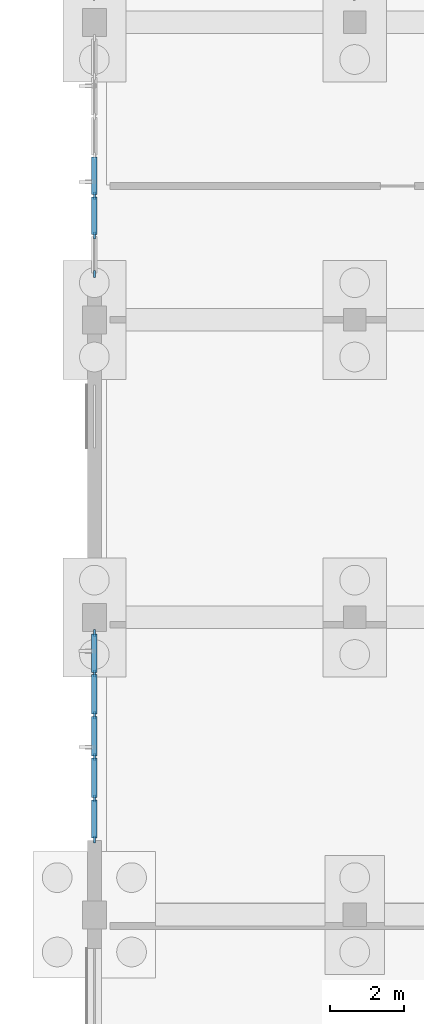
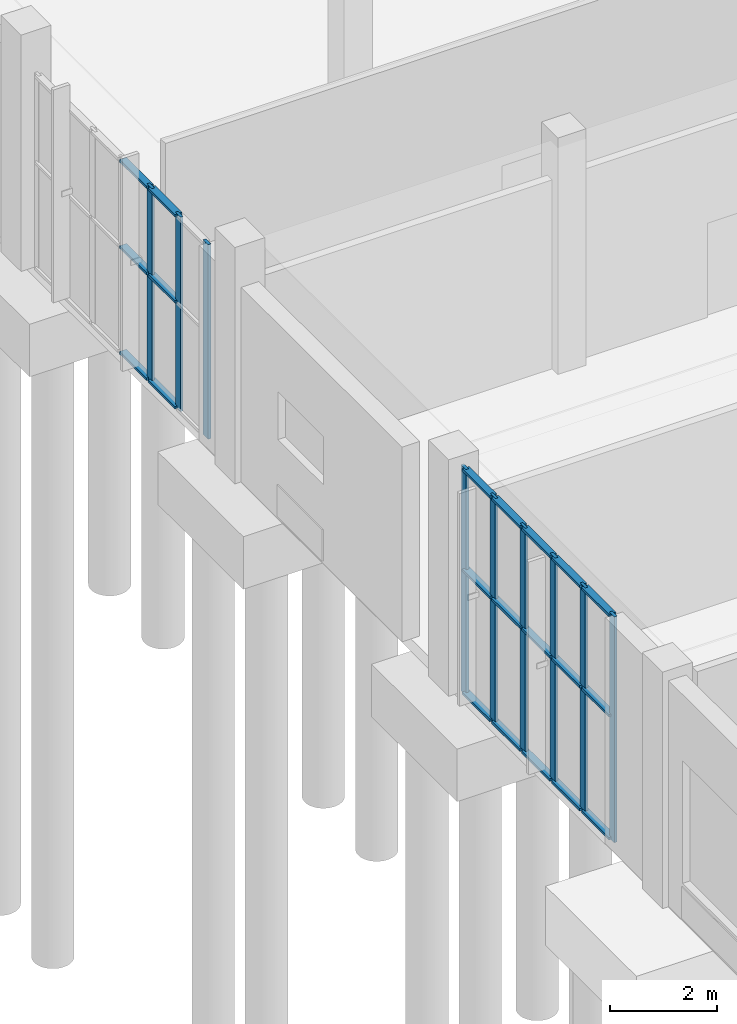
# One storey, part 14 of 69: 30 members, 2 elements without a shape of their own.
"""IFC4 building model written with IfcOpenShell, lengths in metres."""

from ifc_helpers import new_model, si_unit, direction, frame, origin, origin_2d, place, context, subcontext, project, spatial, rectangle, extrude, material, layer, layer_set, material_profile, profile_set, type_object, element, aggregate, save


model = new_model("IFC4")

# Units and contexts
model_context = context("Model", 3, precision=1e-05, world=origin(), true_north=direction((0.0, 1.0)))
body_context = subcontext(model_context, "Body", "Model", "MODEL_VIEW")
ifc_project = project(units=[si_unit("LENGTHUNIT", "METRE"), si_unit("AREAUNIT", "SQUARE_METRE"), si_unit("VOLUMEUNIT", "CUBIC_METRE"), si_unit("PLANEANGLEUNIT", "RADIAN"), si_unit("MASSUNIT", "GRAM", prefix="KILO")], contexts=[model_context])

# Site, building, storey
site_placement = place(None, origin())
site = spatial("IfcSite", under=ifc_project, at=site_placement, CompositionType="ELEMENT")
building_placement = place(site_placement, origin())
building = spatial("IfcBuilding", under=site, at=building_placement, Name="Solvane Community Centre", CompositionType="ELEMENT")
storey_placement = place(building_placement, origin())
storey = spatial("IfcBuildingStorey", under=building, at=storey_placement, Name="L00", CompositionType="ELEMENT", Elevation=0.0)

# Curtain wall, members
ifc_material = material(Name="Anodised bronze aluminium AW-6063 T6", Category="aluminium")
ifc_layer_1 = layer(ifc_material, 0.18994140625)
ifc_layer_set_1 = layer_set([ifc_layer_1], Name="Anodised bronze aluminium AW-6063 T6")
curtain_wall_type_1 = type_object("IfcCurtainWallType", Name="Boulevard Bronze Vision Curtain Wall [56x52dm]", PredefinedType="NOTDEFINED", material=ifc_layer_set_1)
curtain_wall_1_placement = place(storey_placement, origin())
curtain_wall_1 = element("IfcCurtainWall", 1, at=curtain_wall_1_placement, inside=storey, type_object=curtain_wall_type_1, Name="Curtain Wall CW-L00-60_800-005", PredefinedType="NOTDEFINED")
ifc_material_profile_1 = material_profile(ifc_material, rectangle(XDim=0.06005859375, YDim=0.18994140625, at=origin_2d()), Name="CW-M 60x190")
ifc_profile_set_1 = profile_set([ifc_material_profile_1], Name="Anodised bronze aluminium AW-6063 T6")
member_type_1 = type_object("IfcMemberType", Name="Boulevard Mullion 60x190", PredefinedType="MULLION", material=ifc_profile_set_1)
member_1_placement = place(storey_placement, frame((6.0, 80.030029296875, 0.0), z_axis=(0.0, 0.0, 1.0), x_axis=(-1.0, 0.0, 0.0)))
member_1 = element("IfcMember", 2, at=member_1_placement, type_object=member_type_1, Name="CW02-56x52 mullion 1", PredefinedType="MULLION", context=body_context, shape_type="SweptSolid", body=[
    extrude(rectangle(XDim=0.06005859375, YDim=0.18994140625, at=origin_2d()), origin(), (0.0, 0.0, 1.0), 5.159912109375),
])
member_2_placement = place(storey_placement, frame((6.0, 81.1220703125, 0.0), z_axis=(0.0, 0.0, 1.0), x_axis=(-1.0, 0.0, 0.0)))
member_2 = element("IfcMember", 3, at=member_2_placement, type_object=member_type_1, Name="CW02-56x52 mullion 2", PredefinedType="MULLION", context=body_context, shape_type="SweptSolid", body=[
    extrude(rectangle(XDim=0.06005859375, YDim=0.18994140625, at=origin_2d()), origin(), (0.0, 0.0, 1.0), 5.159912109375),
])
member_3_placement = place(storey_placement, frame((6.0, 82.243896484375, 0.0), z_axis=(0.0, 0.0, 1.0), x_axis=(-1.0, 0.0, 0.0)))
member_3 = element("IfcMember", 4, at=member_3_placement, type_object=member_type_1, Name="CW02-56x52 mullion 3", PredefinedType="MULLION", context=body_context, shape_type="SweptSolid", body=[
    extrude(rectangle(XDim=0.06005859375, YDim=0.18994140625, at=origin_2d()), origin(), (0.0, 0.0, 1.0), 5.159912109375),
])
member_4_placement = place(storey_placement, frame((6.0, 83.365966796875, 0.0), z_axis=(0.0, 0.0, 1.0), x_axis=(-1.0, 0.0, 0.0)))
member_4 = element("IfcMember", 5, at=member_4_placement, type_object=member_type_1, Name="CW02-56x52 mullion 4", PredefinedType="MULLION", context=body_context, shape_type="SweptSolid", body=[
    extrude(rectangle(XDim=0.06005859375, YDim=0.18994140625, at=origin_2d()), origin(), (0.0, 0.0, 1.0), 5.159912109375),
])
member_5_placement = place(storey_placement, frame((6.0, 84.488037109375, 0.0), z_axis=(0.0, 0.0, 1.0), x_axis=(-1.0, 0.0, 0.0)))
member_5 = element("IfcMember", 6, at=member_5_placement, type_object=member_type_1, Name="CW02-56x52 mullion 5", PredefinedType="MULLION", context=body_context, shape_type="SweptSolid", body=[
    extrude(rectangle(XDim=0.06005859375, YDim=0.18994140625, at=origin_2d()), origin(), (0.0, 0.0, 1.0), 5.159912109375),
])
member_6_placement = place(storey_placement, frame((6.0, 85.580078125, 0.0), z_axis=(0.0, 0.0, 1.0), x_axis=(-1.0, 0.0, 0.0)))
member_6 = element("IfcMember", 7, at=member_6_placement, type_object=member_type_1, Name="CW02-56x52 mullion 6", PredefinedType="MULLION", context=body_context, shape_type="SweptSolid", body=[
    extrude(rectangle(XDim=0.06005859375, YDim=0.18994140625, at=origin_2d()), origin(), (0.0, 0.0, 1.0), 5.159912109375),
])

ifc_layer_2 = layer(ifc_material, 0.18994140625)
ifc_layer_set_2 = layer_set([ifc_layer_2], Name="Anodised bronze aluminium AW-6063 T6")
curtain_wall_type_2 = type_object("IfcCurtainWallType", Name="Boulevard Bronze Vision Curtain Wall [64x44dm]", PredefinedType="NOTDEFINED", material=ifc_layer_set_2)
curtain_wall_2_placement = place(storey_placement, origin())
curtain_wall_2 = element("IfcCurtainWall", 8, at=curtain_wall_2_placement, inside=storey, type_object=curtain_wall_type_2, Name="Curtain Wall CW-L00-60_952-006", PredefinedType="NOTDEFINED")
member_7_placement = place(storey_placement, frame((6.0, 95.22998046875, 0.0), z_axis=(0.0, 0.0, 1.0), x_axis=(-1.0, 0.0, 0.0)))
member_7 = element("IfcMember", 9, at=member_7_placement, type_object=member_type_1, Name="CW02-64x44 mullion 1", PredefinedType="MULLION", context=body_context, shape_type="SweptSolid", body=[
    extrude(rectangle(XDim=0.06005859375, YDim=0.18994140625, at=origin_2d()), origin(), (0.0, 0.0, 1.0), 4.445068359375),
])
member_8_placement = place(storey_placement, frame((6.0, 96.268310546875, 0.0), z_axis=(0.0, 0.0, 1.0), x_axis=(-1.0, 0.0, 0.0)))
member_8 = element("IfcMember", 10, at=member_8_placement, type_object=member_type_1, Name="CW02-64x44 mullion 2", PredefinedType="MULLION", context=body_context, shape_type="SweptSolid", body=[
    extrude(rectangle(XDim=0.06005859375, YDim=0.18994140625, at=origin_2d()), origin(), (0.0, 0.0, 1.0), 4.445068359375),
])
member_9_placement = place(storey_placement, frame((6.0, 97.336669921875, 0.0), z_axis=(0.0, 0.0, 1.0), x_axis=(-1.0, 0.0, 0.0)))
member_9 = element("IfcMember", 11, at=member_9_placement, type_object=member_type_1, Name="CW02-64x44 mullion 3", PredefinedType="MULLION", context=body_context, shape_type="SweptSolid", body=[
    extrude(rectangle(XDim=0.06005859375, YDim=0.18994140625, at=origin_2d()), origin(), (0.0, 0.0, 1.0), 4.445068359375),
])

# Member
ifc_material_profile_2 = material_profile(ifc_material, rectangle(XDim=0.14990234375, YDim=0.06005859375, at=origin_2d()), Name="CW-T 60x150")
ifc_profile_set_2 = profile_set([ifc_material_profile_2], Name="Anodised bronze aluminium AW-6063 T6")
member_type_2 = type_object("IfcMemberType", Name="Boulevard Transom 60x150", PredefinedType="USERDEFINED", material=ifc_profile_set_2)
member_10_placement = place(storey_placement, frame((6.0, 80.06005859375, 0.030029296875), z_axis=(0.0, 1.0, 0.0), x_axis=(-1.0, 0.0, 0.0)))
member_10 = element("IfcMember", 12, at=member_10_placement, type_object=member_type_2, Name="CW02-56x52 transom 1.1", ObjectType="TRANSOM", PredefinedType="USERDEFINED", context=body_context, shape_type="SweptSolid", body=[
    extrude(rectangle(XDim=0.14990234375, YDim=0.06005859375, at=origin_2d()), origin(), (0.0, 0.0, 1.0), 1.031982421875),
])

member_11_placement = place(storey_placement, frame((6.0, 80.06005859375, 2.837890625), z_axis=(0.0, 1.0, 0.0), x_axis=(-1.0, 0.0, 0.0)))
member_11 = element("IfcMember", 13, at=member_11_placement, type_object=member_type_2, Name="CW02-56x52 transom 1.2", ObjectType="TRANSOM", PredefinedType="USERDEFINED", context=body_context, shape_type="SweptSolid", body=[
    extrude(rectangle(XDim=0.14990234375, YDim=0.06005859375, at=origin_2d()), origin(), (0.0, 0.0, 1.0), 1.031982421875),
])

member_12_placement = place(storey_placement, frame((6.0, 80.06005859375, 5.1298828125), z_axis=(0.0, 1.0, 0.0), x_axis=(-1.0, 0.0, 0.0)))
member_12 = element("IfcMember", 14, at=member_12_placement, type_object=member_type_2, Name="CW02-56x52 transom 1.3", ObjectType="TRANSOM", PredefinedType="USERDEFINED", context=body_context, shape_type="SweptSolid", body=[
    extrude(rectangle(XDim=0.14990234375, YDim=0.06005859375, at=origin_2d()), origin(), (0.0, 0.0, 1.0), 1.031982421875),
])

member_13_placement = place(storey_placement, frame((6.0, 81.152099609375, 0.030029296875), z_axis=(0.0, 1.0, 0.0), x_axis=(-1.0, 0.0, 0.0)))
member_13 = element("IfcMember", 15, at=member_13_placement, type_object=member_type_2, Name="CW02-56x52 transom 2.1", ObjectType="TRANSOM", PredefinedType="USERDEFINED", context=body_context, shape_type="SweptSolid", body=[
    extrude(rectangle(XDim=0.14990234375, YDim=0.06005859375, at=origin_2d()), origin(), (0.0, 0.0, 1.0), 1.06201171875),
])

member_14_placement = place(storey_placement, frame((6.0, 81.152099609375, 2.837890625), z_axis=(0.0, 1.0, 0.0), x_axis=(-1.0, 0.0, 0.0)))
member_14 = element("IfcMember", 16, at=member_14_placement, type_object=member_type_2, Name="CW02-56x52 transom 2.2", ObjectType="TRANSOM", PredefinedType="USERDEFINED", context=body_context, shape_type="SweptSolid", body=[
    extrude(rectangle(XDim=0.14990234375, YDim=0.06005859375, at=origin_2d()), origin(), (0.0, 0.0, 1.0), 1.06201171875),
])

member_15_placement = place(storey_placement, frame((6.0, 81.152099609375, 5.1298828125), z_axis=(0.0, 1.0, 0.0), x_axis=(-1.0, 0.0, 0.0)))
member_15 = element("IfcMember", 17, at=member_15_placement, type_object=member_type_2, Name="CW02-56x52 transom 2.3", ObjectType="TRANSOM", PredefinedType="USERDEFINED", context=body_context, shape_type="SweptSolid", body=[
    extrude(rectangle(XDim=0.14990234375, YDim=0.06005859375, at=origin_2d()), origin(), (0.0, 0.0, 1.0), 1.06201171875),
])

member_16_placement = place(storey_placement, frame((6.0, 82.27392578125, 0.030029296875), z_axis=(0.0, 1.0, 0.0), x_axis=(-1.0, 0.0, 0.0)))
member_16 = element("IfcMember", 18, at=member_16_placement, type_object=member_type_2, Name="CW02-56x52 transom 3.1", ObjectType="TRANSOM", PredefinedType="USERDEFINED", context=body_context, shape_type="SweptSolid", body=[
    extrude(rectangle(XDim=0.14990234375, YDim=0.06005859375, at=origin_2d()), origin(), (0.0, 0.0, 1.0), 1.06201171875),
])

member_17_placement = place(storey_placement, frame((6.0, 82.27392578125, 2.837890625), z_axis=(0.0, 1.0, 0.0), x_axis=(-1.0, 0.0, 0.0)))
member_17 = element("IfcMember", 19, at=member_17_placement, type_object=member_type_2, Name="CW02-56x52 transom 3.2", ObjectType="TRANSOM", PredefinedType="USERDEFINED", context=body_context, shape_type="SweptSolid", body=[
    extrude(rectangle(XDim=0.14990234375, YDim=0.06005859375, at=origin_2d()), origin(), (0.0, 0.0, 1.0), 1.06201171875),
])

member_18_placement = place(storey_placement, frame((6.0, 82.27392578125, 5.1298828125), z_axis=(0.0, 1.0, 0.0), x_axis=(-1.0, 0.0, 0.0)))
member_18 = element("IfcMember", 20, at=member_18_placement, type_object=member_type_2, Name="CW02-56x52 transom 3.3", ObjectType="TRANSOM", PredefinedType="USERDEFINED", context=body_context, shape_type="SweptSolid", body=[
    extrude(rectangle(XDim=0.14990234375, YDim=0.06005859375, at=origin_2d()), origin(), (0.0, 0.0, 1.0), 1.06201171875),
])

member_19_placement = place(storey_placement, frame((6.0, 83.39599609375, 0.030029296875), z_axis=(0.0, 1.0, 0.0), x_axis=(-1.0, 0.0, 0.0)))
member_19 = element("IfcMember", 21, at=member_19_placement, type_object=member_type_2, Name="CW02-56x52 transom 4.1", ObjectType="TRANSOM", PredefinedType="USERDEFINED", context=body_context, shape_type="SweptSolid", body=[
    extrude(rectangle(XDim=0.14990234375, YDim=0.06005859375, at=origin_2d()), origin(), (0.0, 0.0, 1.0), 1.06201171875),
])

member_20_placement = place(storey_placement, frame((6.0, 83.39599609375, 2.837890625), z_axis=(0.0, 1.0, 0.0), x_axis=(-1.0, 0.0, 0.0)))
member_20 = element("IfcMember", 22, at=member_20_placement, type_object=member_type_2, Name="CW02-56x52 transom 4.2", ObjectType="TRANSOM", PredefinedType="USERDEFINED", context=body_context, shape_type="SweptSolid", body=[
    extrude(rectangle(XDim=0.14990234375, YDim=0.06005859375, at=origin_2d()), origin(), (0.0, 0.0, 1.0), 1.06201171875),
])

member_21_placement = place(storey_placement, frame((6.0, 83.39599609375, 5.1298828125), z_axis=(0.0, 1.0, 0.0), x_axis=(-1.0, 0.0, 0.0)))
member_21 = element("IfcMember", 23, at=member_21_placement, type_object=member_type_2, Name="CW02-56x52 transom 4.3", ObjectType="TRANSOM", PredefinedType="USERDEFINED", context=body_context, shape_type="SweptSolid", body=[
    extrude(rectangle(XDim=0.14990234375, YDim=0.06005859375, at=origin_2d()), origin(), (0.0, 0.0, 1.0), 1.06201171875),
])

member_22_placement = place(storey_placement, frame((6.0, 84.51806640625, 0.030029296875), z_axis=(0.0, 1.0, 0.0), x_axis=(-1.0, 0.0, 0.0)))
member_22 = element("IfcMember", 24, at=member_22_placement, type_object=member_type_2, Name="CW02-56x52 transom 5.1", ObjectType="TRANSOM", PredefinedType="USERDEFINED", context=body_context, shape_type="SweptSolid", body=[
    extrude(rectangle(XDim=0.14990234375, YDim=0.06005859375, at=origin_2d()), origin(), (0.0, 0.0, 1.0), 1.031982421875),
])

member_23_placement = place(storey_placement, frame((6.0, 84.51806640625, 2.837890625), z_axis=(0.0, 1.0, 0.0), x_axis=(-1.0, 0.0, 0.0)))
member_23 = element("IfcMember", 25, at=member_23_placement, type_object=member_type_2, Name="CW02-56x52 transom 5.2", ObjectType="TRANSOM", PredefinedType="USERDEFINED", context=body_context, shape_type="SweptSolid", body=[
    extrude(rectangle(XDim=0.14990234375, YDim=0.06005859375, at=origin_2d()), origin(), (0.0, 0.0, 1.0), 1.031982421875),
])

member_24_placement = place(storey_placement, frame((6.0, 84.51806640625, 5.1298828125), z_axis=(0.0, 1.0, 0.0), x_axis=(-1.0, 0.0, 0.0)))
member_24 = element("IfcMember", 26, at=member_24_placement, type_object=member_type_2, Name="CW02-56x52 transom 5.3", ObjectType="TRANSOM", PredefinedType="USERDEFINED", context=body_context, shape_type="SweptSolid", body=[
    extrude(rectangle(XDim=0.14990234375, YDim=0.06005859375, at=origin_2d()), origin(), (0.0, 0.0, 1.0), 1.031982421875),
])

aggregate(curtain_wall_1, [member_1, member_2, member_3, member_4, member_5, member_6, member_10, member_11, member_12, member_13, member_14, member_15, member_16, member_17, member_18, member_19, member_20, member_21, member_22, member_23, member_24])

member_25_placement = place(storey_placement, frame((6.0, 96.29833984375, 0.030029296875), z_axis=(0.0, 1.0, 0.0), x_axis=(-1.0, 0.0, 0.0)))
member_25 = element("IfcMember", 27, at=member_25_placement, type_object=member_type_2, Name="CW02-64x44 transom 2.1", ObjectType="TRANSOM", PredefinedType="USERDEFINED", context=body_context, shape_type="SweptSolid", body=[
    extrude(rectangle(XDim=0.14990234375, YDim=0.06005859375, at=origin_2d()), origin(), (0.0, 0.0, 1.0), 1.00830078125),
])

member_26_placement = place(storey_placement, frame((6.0, 96.29833984375, 2.445068359375), z_axis=(0.0, 1.0, 0.0), x_axis=(-1.0, 0.0, 0.0)))
member_26 = element("IfcMember", 28, at=member_26_placement, type_object=member_type_2, Name="CW02-64x44 transom 2.2", ObjectType="TRANSOM", PredefinedType="USERDEFINED", context=body_context, shape_type="SweptSolid", body=[
    extrude(rectangle(XDim=0.14990234375, YDim=0.06005859375, at=origin_2d()), origin(), (0.0, 0.0, 1.0), 1.00830078125),
])

member_27_placement = place(storey_placement, frame((6.0, 96.29833984375, 4.4150390625), z_axis=(0.0, 1.0, 0.0), x_axis=(-1.0, 0.0, 0.0)))
member_27 = element("IfcMember", 29, at=member_27_placement, type_object=member_type_2, Name="CW02-64x44 transom 2.3", ObjectType="TRANSOM", PredefinedType="USERDEFINED", context=body_context, shape_type="SweptSolid", body=[
    extrude(rectangle(XDim=0.14990234375, YDim=0.06005859375, at=origin_2d()), origin(), (0.0, 0.0, 1.0), 1.00830078125),
])

member_28_placement = place(storey_placement, frame((6.0, 97.36669921875, 0.030029296875), z_axis=(0.0, 1.0, 0.0), x_axis=(-1.0, 0.0, 0.0)))
member_28 = element("IfcMember", 30, at=member_28_placement, type_object=member_type_2, Name="CW02-64x44 transom 3.1", ObjectType="TRANSOM", PredefinedType="USERDEFINED", context=body_context, shape_type="SweptSolid", body=[
    extrude(rectangle(XDim=0.14990234375, YDim=0.06005859375, at=origin_2d()), origin(), (0.0, 0.0, 1.0), 1.00830078125),
])

member_29_placement = place(storey_placement, frame((6.0, 97.36669921875, 2.445068359375), z_axis=(0.0, 1.0, 0.0), x_axis=(-1.0, 0.0, 0.0)))
member_29 = element("IfcMember", 31, at=member_29_placement, type_object=member_type_2, Name="CW02-64x44 transom 3.2", ObjectType="TRANSOM", PredefinedType="USERDEFINED", context=body_context, shape_type="SweptSolid", body=[
    extrude(rectangle(XDim=0.14990234375, YDim=0.06005859375, at=origin_2d()), origin(), (0.0, 0.0, 1.0), 1.00830078125),
])

member_30_placement = place(storey_placement, frame((6.0, 97.36669921875, 4.4150390625), z_axis=(0.0, 1.0, 0.0), x_axis=(-1.0, 0.0, 0.0)))
member_30 = element("IfcMember", 32, at=member_30_placement, type_object=member_type_2, Name="CW02-64x44 transom 3.3", ObjectType="TRANSOM", PredefinedType="USERDEFINED", context=body_context, shape_type="SweptSolid", body=[
    extrude(rectangle(XDim=0.14990234375, YDim=0.06005859375, at=origin_2d()), origin(), (0.0, 0.0, 1.0), 1.00830078125),
])

aggregate(curtain_wall_2, [member_7, member_8, member_9, member_25, member_26, member_27, member_28, member_29, member_30])

save(model, "model.ifc")
